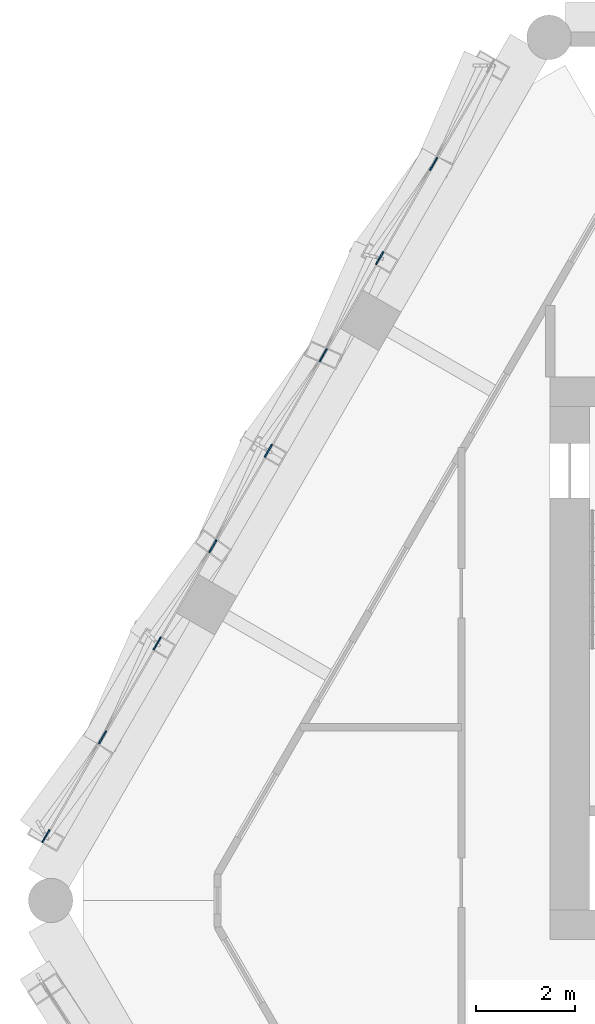
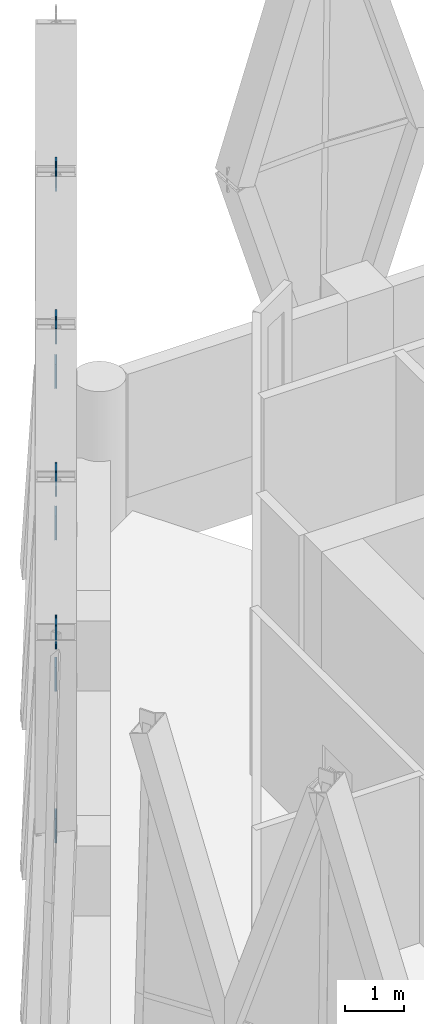
# One storey, part 18 of 21: 8 discrete accessories.
"""IFC4 building model written with IfcOpenShell, lengths in metres."""

from ifc_helpers import new_model, si_unit, direction, frame, origin, origin_2d, place, context, subcontext, project, spatial, rectangle, extrude, material, layer, layer_set, type_object, element, save


model = new_model("IFC4")

# Units and contexts
model_context = context("Model", 3, precision=1e-05, world=origin(), true_north=direction((0.0, 1.0)))
body_context = subcontext(model_context, "Body", "Model", "MODEL_VIEW")
ifc_project = project(units=[si_unit("LENGTHUNIT", "METRE"), si_unit("AREAUNIT", "SQUARE_METRE"), si_unit("VOLUMEUNIT", "CUBIC_METRE"), si_unit("PLANEANGLEUNIT", "RADIAN"), si_unit("MASSUNIT", "GRAM", prefix="KILO")], contexts=[model_context])

# Site, building, storey
site_placement = place(None, origin())
site = spatial("IfcSite", under=ifc_project, at=site_placement, CompositionType="ELEMENT")
building_placement = place(site_placement, origin())
building = spatial("IfcBuilding", under=site, at=building_placement, Name="Ostrander Bayou Hotel Tower", CompositionType="ELEMENT")
storey_placement = place(building_placement, frame((0.0, 0.0, 256.25)))
storey = spatial("IfcBuildingStorey", under=building, at=storey_placement, Name="L63", CompositionType="ELEMENT", Elevation=256.25)

# Discrete accessories
ifc_material = material(Name="Steel ASTM A572 Gr 50", Category="steel")
ifc_layer = layer(ifc_material, 0.030029296875)
ifc_layer_set = layer_set([ifc_layer], Name="GP1 gusset plate 30 mm")
discrete_accessory_type = type_object("IfcDiscreteAccessoryType", Name="GP1 gusset plate 30 mm", PredefinedType="BRACKET", material=ifc_layer_set)
for number, where, z_axis, x_axis, name in (
    (1, (-10.864013671875, 14.022705078125, 4.77490234375), (0.0, 0.0, 1.0), (-0.5, -0.866025403784, 0.0), "GP1 gusset plate lat 461"),
    (2, (-11.95947265625, 12.112548828125, 10.39990234375), (0.0, 0.0, 1.0), (-0.5, -0.866025403784, 0.0), "GP1 gusset plate lat 463"),
    (3, (-13.101318359375, 10.147705078125, 4.77490234375), (0.0, 0.0, 1.0), (-0.5, -0.866025403784, 0.0), "GP1 gusset plate lat 464"),
    (4, (-14.214599609375, 8.206787109375, 10.39990234375), (0.0, 0.0, 1.0), (-0.5, -0.866025403784, 0.0), "GP1 gusset plate lat 465"),
    (5, (-15.3388671875, 6.2724609375, 4.77490234375), (0.0, 0.0, 1.0), (-0.5, -0.866025403784, 0.0), "GP1 gusset plate lat 466"),
    (6, (-16.469482421875, 4.30078125, 10.39990234375), (0.0, 0.0, 1.0), (-0.5, -0.866025403784, 0.0), "GP1 gusset plate lat 467"),
    (7, (-17.576171875, 2.397216796875, 4.77490234375), (0.0, 0.0, 1.0), (-0.5, -0.866025403784, 0.0), "GP1 gusset plate lat 468"),
    (8, (-18.724609375, 0.39501953125, 10.39990234375), (0.0, 0.0, 1.0), (-0.5, -0.866025403784, 0.0), "GP1 gusset plate lat 469"),
):
    element("IfcDiscreteAccessory", number, at=place(storey_placement, frame(where, z_axis=z_axis, x_axis=x_axis)), inside=storey, type_object=discrete_accessory_type, Name=name, PredefinedType="BRACKET", context=body_context, shape_type="SweptSolid", body=[
        extrude(rectangle(XDim=0.300048828125, YDim=0.030029296875, at=origin_2d()), origin(), (0.0, 0.0, 1.0), 0.5),
    ])

save(model, "model.ifc")
